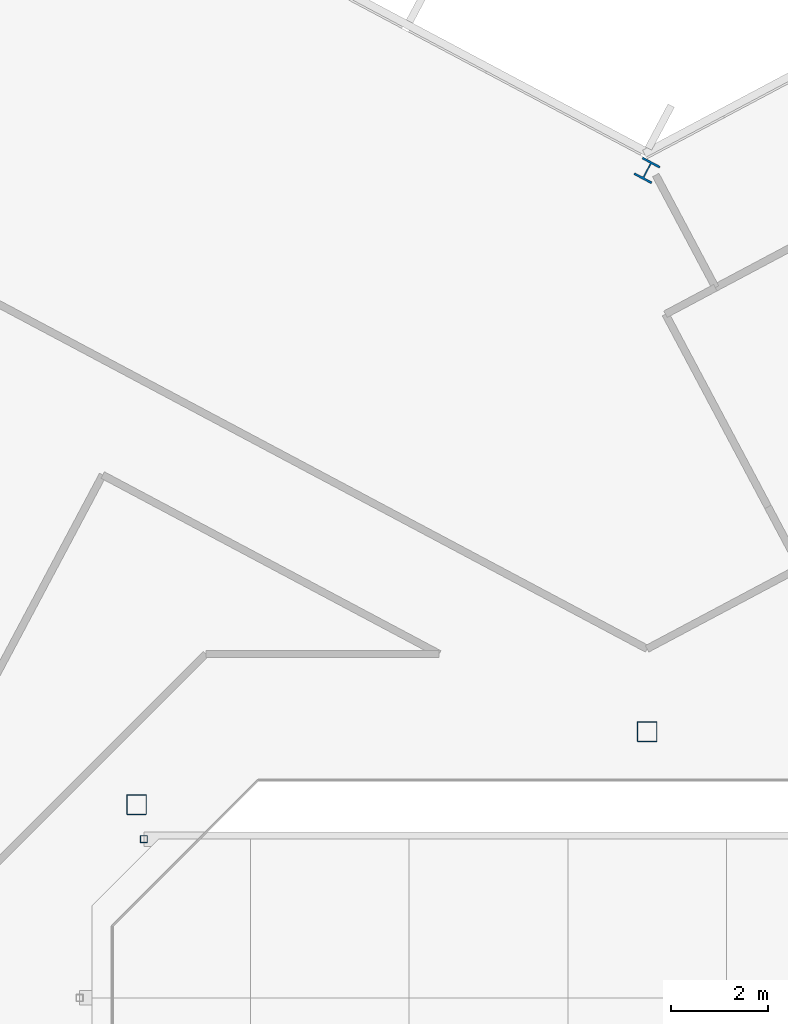
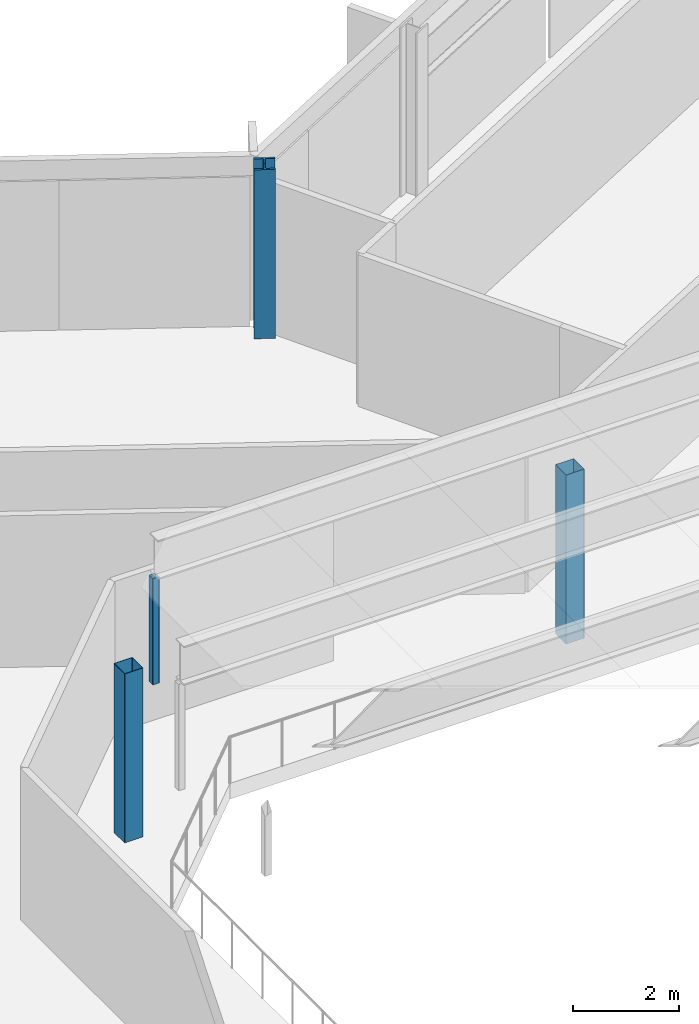
# One storey, part 4 of 35: 4 columns.
"""IFC4 building model written with IfcOpenShell, lengths in metres."""

from ifc_helpers import new_model, si_unit, direction, frame, origin, origin_2d, place, context, subcontext, project, spatial, hollow_rectangle, i_section, extrude, material, material_profile, profile_set, type_object, element, save


model = new_model("IFC4")

# Units and contexts
model_context = context("Model", 3, precision=1e-05, world=origin(), true_north=direction((0.0, 1.0)))
body_context = subcontext(model_context, "Body", "Model", "MODEL_VIEW")
ifc_project = project(units=[si_unit("LENGTHUNIT", "METRE"), si_unit("AREAUNIT", "SQUARE_METRE"), si_unit("VOLUMEUNIT", "CUBIC_METRE"), si_unit("PLANEANGLEUNIT", "RADIAN"), si_unit("MASSUNIT", "GRAM", prefix="KILO")], contexts=[model_context])

# Site, building, storey
site_placement = place(None, origin())
site = spatial("IfcSite", under=ifc_project, at=site_placement, CompositionType="ELEMENT")
building_placement = place(site_placement, origin())
building = spatial("IfcBuilding", under=site, at=building_placement, Name="Cormorant Relay Tower", CompositionType="ELEMENT")
storey_placement = place(building_placement, frame((0.0, 0.0, 324.300048828125)))
storey = spatial("IfcBuildingStorey", under=building, at=storey_placement, Name="L74", CompositionType="ELEMENT", Elevation=324.300048828125)

# Columns
ifc_material_1 = material(Name="Steel ASTM A500 Grade C (Fy 345 MPa)", Category="steel")
ifc_material_profile_1 = material_profile(ifc_material_1, hollow_rectangle(XDim=0.14990234375, YDim=0.14990234375, WallThickness=0.008056640625, InnerFilletRadius=0.00390625, OuterFilletRadius=0.011962890625, at=origin_2d()), Name="RHS150x150x8")
ifc_profile_set_1 = profile_set([ifc_material_profile_1], Name="Steel ASTM A500 Grade C (Fy 345 MPa)")
column_type_1 = type_object("IfcColumnType", Name="CW5 lantern post RHS 150 x 150", PredefinedType="COLUMN", material=ifc_profile_set_1)
column_1_placement = place(storey_placement, frame((-10.351318359375, 9.78857421875, 3.89990234375), z_axis=(0.0, 0.0, 1.0), x_axis=(1.0, 0.0, 0.0)))
element("IfcColumn", 1, at=column_1_placement, inside=storey, type_object=column_type_1, Name="CW5 lantern post 13", PredefinedType="COLUMN", context=body_context, shape_type="SweptSolid", body=[
    extrude(hollow_rectangle(XDim=0.14990234375, YDim=0.14990234375, WallThickness=0.008056640625, InnerFilletRadius=0.00390625, OuterFilletRadius=0.011962890625, at=origin_2d()), origin(), (0.0, 0.0, 1.0), 2.449951171875),
])
ifc_material_2 = material(Name="Steel ASTM A500 Grade C (Fy 345 MPa)", Category="steel")
ifc_material_profile_2 = material_profile(ifc_material_2, hollow_rectangle(XDim=0.406494140625, YDim=0.406494140625, WallThickness=0.0087890625, InnerFilletRadius=0.00439453125, OuterFilletRadius=0.01318359375, at=origin_2d()), Name="HSS406x406x9")
ifc_profile_set_2 = profile_set([ifc_material_profile_2], Name="Steel ASTM A500 Grade C (Fy 345 MPa)")
column_type_2 = type_object("IfcColumnType", Name="Column HSS406x406x9", PredefinedType="COLUMN", material=ifc_profile_set_2)
for number, where, z_axis, x_axis, name in (
    (2, (-10.5, 10.5, 0.0), (0.0, 0.0, 1.0), (1.0, 0.0, 0.0), "Column L74-023"),
    (3, (0.0, 12.0, 0.0), (0.0, 0.0, 1.0), (1.0, 0.0, 0.0), "Column L74-025"),
):
    element("IfcColumn", number, at=place(storey_placement, frame(where, z_axis=z_axis, x_axis=x_axis)), inside=storey, type_object=column_type_2, Name=name, PredefinedType="COLUMN", context=body_context, shape_type="SweptSolid", body=[
        extrude(hollow_rectangle(XDim=0.406494140625, YDim=0.406494140625, WallThickness=0.0087890625, InnerFilletRadius=0.00439453125, OuterFilletRadius=0.01318359375, at=origin_2d()), origin(), (0.0, 0.0, 1.0), 3.89990234375),
    ])
ifc_material_3 = material(Name="Steel ASTM A992 (Fy 345 MPa)", Category="steel")
ifc_material_profile_3 = material_profile(ifc_material_3, i_section(OverallWidth=0.40380859375, OverallDepth=0.406494140625, WebThickness=0.027099609375, FlangeThickness=0.043701171875, FilletRadius=0.01513671875, at=origin_2d()), Name="W360x347")
ifc_profile_set_3 = profile_set([ifc_material_profile_3], Name="Steel ASTM A992 (Fy 345 MPa)")
column_type_3 = type_object("IfcColumnType", Name="Column W360x347", PredefinedType="COLUMN", material=ifc_profile_set_3)
column_2_placement = place(storey_placement, frame((0.0, 23.5439453125, 0.0), z_axis=(0.0, 0.0, 1.0), x_axis=(-0.882947592859, 0.469471562786, 0.0)))
element("IfcColumn", 4, at=column_2_placement, inside=storey, type_object=column_type_3, Name="Column L74-029", PredefinedType="COLUMN", context=body_context, shape_type="SweptSolid", body=[
    extrude(i_section(OverallWidth=0.40380859375, OverallDepth=0.406494140625, WebThickness=0.027099609375, FlangeThickness=0.043701171875, FilletRadius=0.01513671875, at=origin_2d()), origin(), (0.0, 0.0, 1.0), 3.89990234375),
])

save(model, "model.ifc")
